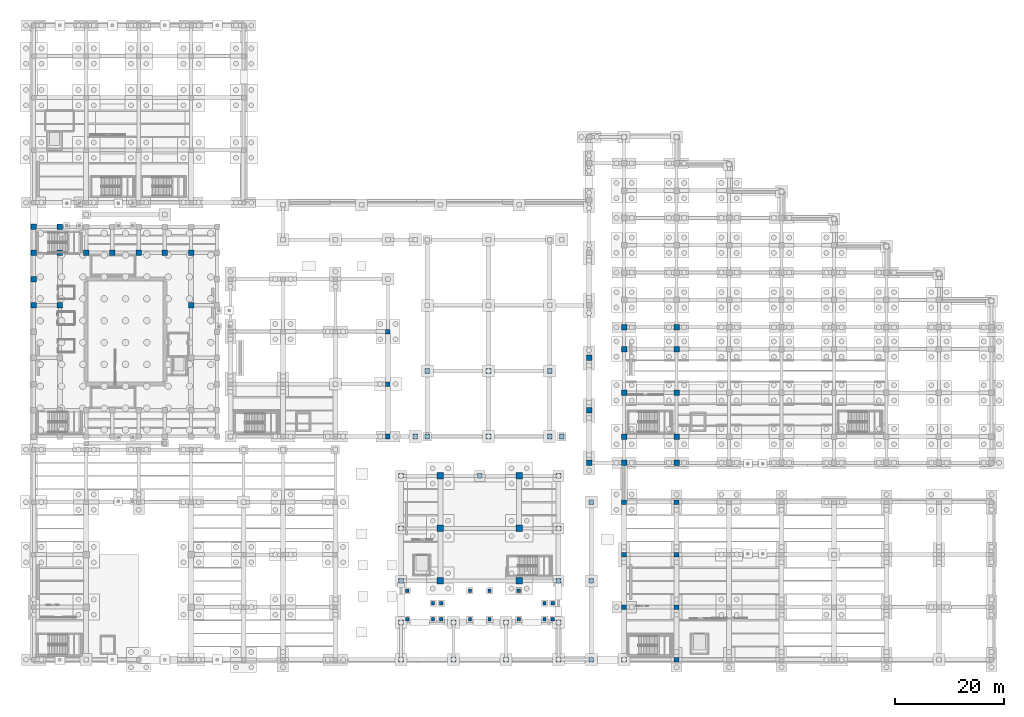
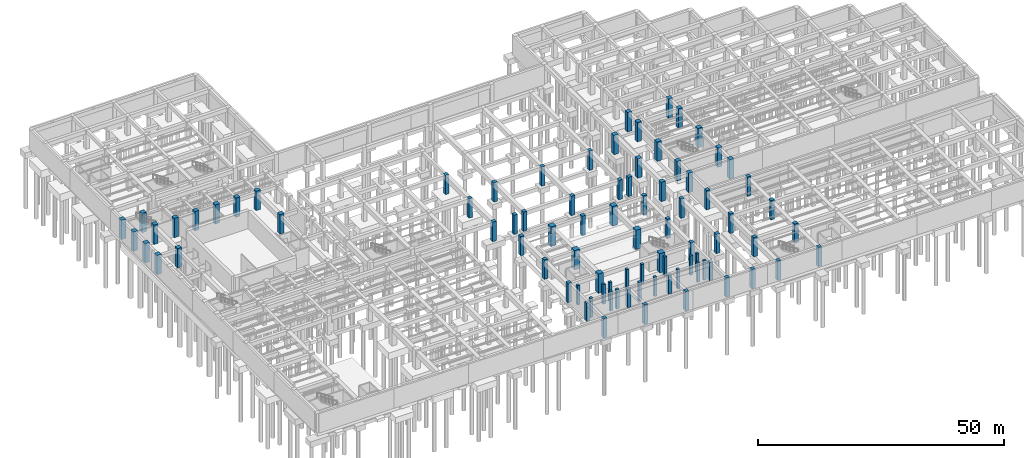
# One storey, part 17 of 56: 85 columns.
"""IFC4 building model written with IfcOpenShell, lengths in metres."""

from ifc_helpers import new_model, si_unit, direction, frame, origin, origin_2d, place, context, subcontext, project, spatial, rectangle, extrude, material, material_profile, profile_set, type_object, element, save


model = new_model("IFC4")

# Units and contexts
model_context = context("Model", 3, precision=1e-05, world=origin(), true_north=direction((0.0, 1.0)))
body_context = subcontext(model_context, "Body", "Model", "MODEL_VIEW")
ifc_project = project(units=[si_unit("LENGTHUNIT", "METRE"), si_unit("AREAUNIT", "SQUARE_METRE"), si_unit("VOLUMEUNIT", "CUBIC_METRE"), si_unit("PLANEANGLEUNIT", "RADIAN"), si_unit("MASSUNIT", "GRAM", prefix="KILO")], contexts=[model_context])

# Site, building, storey
site_placement = place(None, origin())
site = spatial("IfcSite", under=ifc_project, at=site_placement, CompositionType="ELEMENT")
building_placement = place(site_placement, origin())
building = spatial("IfcBuilding", under=site, at=building_placement, Name="Mavantir Sound Aquarium", CompositionType="ELEMENT")
storey_placement = place(building_placement, frame((0.0, 0.0, -9.60009765625)))
storey = spatial("IfcBuildingStorey", under=building, at=storey_placement, Name="B2", CompositionType="ELEMENT", Elevation=-9.60009765625)

# Columns
ifc_material = material(Name="Concrete C40/50", Category="concrete")
ifc_material_profile_1 = material_profile(ifc_material, rectangle(XDim=1.0, YDim=1.0, at=origin_2d()), Name="RC 1000X1000")
ifc_profile_set_1 = profile_set([ifc_material_profile_1], Name="Concrete C40/50")
column_type_1 = type_object("IfcColumnType", Name="COL-RC1000-E", PredefinedType="COLUMN", material=ifc_profile_set_1)
for number, where, z_axis, x_axis, name in (
    (1, (0.0, 64.800048828125, 0.0), (0.0, 0.0, 1.0), (1.0, 0.0, 0.0), "B2 column RC-C10 (V1)"),
    (2, (0.0, 69.60009765625, 0.0), (0.0, 0.0, 1.0), (1.0, 0.0, 0.0), "B2 column RC-C10 (V1)"),
    (3, (0.0, 74.39990234375, 0.0), (0.0, 0.0, 1.0), (1.0, 0.0, 0.0), "B2 column RC-C10 (V1)"),
    (4, (0.0, 79.199951171875, 0.0), (0.0, 0.0, 1.0), (1.0, 0.0, 0.0), "B2 column RC-C10 (V1)"),
):
    element("IfcColumn", number, at=place(storey_placement, frame(where, z_axis=z_axis, x_axis=x_axis)), inside=storey, type_object=column_type_1, Name=name, PredefinedType="COLUMN", context=body_context, shape_type="SweptSolid", body=[
        extrude(rectangle(XDim=1.0, YDim=1.0, at=origin_2d()), origin(), (0.0, 0.0, 1.0), 4.800048828125),
    ])
ifc_material_profile_2 = material_profile(ifc_material, rectangle(XDim=1.0, YDim=1.0, at=origin_2d()), Name="RC 1000X1000")
ifc_profile_set_2 = profile_set([ifc_material_profile_2], Name="Concrete C40/50")
column_type_2 = type_object("IfcColumnType", Name="COL-RC1000-I", PredefinedType="COLUMN", material=ifc_profile_set_2)
for number, where, z_axis, x_axis, name in (
    (5, (4.800048828125, 64.800048828125, 0.0), (0.0, 0.0, 1.0), (1.0, 0.0, 0.0), "B2 column RC-C10 (V1)"),
    (6, (4.800048828125, 74.39990234375, 0.0), (0.0, 0.0, 1.0), (1.0, 0.0, 0.0), "B2 column RC-C10 (V1)"),
    (7, (4.800048828125, 79.199951171875, 0.0), (0.0, 0.0, 1.0), (1.0, 0.0, 0.0), "B2 column RC-C10 (V1)"),
    (8, (9.60009765625, 74.39990234375, 0.0), (0.0, 0.0, 1.0), (1.0, 0.0, 0.0), "B2 column RC-C10 (V1)"),
    (9, (14.39990234375, 74.39990234375, 0.0), (0.0, 0.0, 1.0), (1.0, 0.0, 0.0), "B2 column RC-C10 (V1)"),
    (10, (19.199951171875, 74.39990234375, 0.0), (0.0, 0.0, 1.0), (1.0, 0.0, 0.0), "B2 column RC-C10 (V1)"),
    (11, (24.0, 74.39990234375, 0.0), (0.0, 0.0, 1.0), (1.0, 0.0, 0.0), "B2 column RC-C10 (V1)"),
    (12, (28.800048828125, 64.800048828125, 0.0), (0.0, 0.0, 1.0), (1.0, 0.0, 0.0), "B2 column RC-C10 (V1)"),
    (13, (28.800048828125, 74.39990234375, 0.0), (0.0, 0.0, 1.0), (1.0, 0.0, 0.0), "B2 column RC-C10 (V1)"),
    (14, (101.60009765625, 36.0, 0.0), (0.0, 0.0, 1.0), (1.0, 0.0, 0.0), "B2 column RC-C10 (V4)"),
    (15, (101.60009765625, 45.60009765625, 0.0), (0.0, 0.0, 1.0), (1.0, 0.0, 0.0), "B2 column RC-C10 (V4)"),
    (16, (101.60009765625, 55.199951171875, 0.0), (0.0, 0.0, 1.0), (1.0, 0.0, 0.0), "B2 column RC-C10 (V4)"),
    (17, (108.0, 36.0, 0.0), (0.0, 0.0, 1.0), (1.0, 0.0, 0.0), "B2 column RC-C10 (V4)"),
    (18, (108.0, 40.800048828125, 0.0), (0.0, 0.0, 1.0), (1.0, 0.0, 0.0), "B2 column RC-C10 (V4)"),
    (19, (108.0, 48.800048828125, 0.0), (0.0, 0.0, 1.0), (1.0, 0.0, 0.0), "B2 column RC-C10 (V4)"),
    (20, (108.0, 56.800048828125, 0.0), (0.0, 0.0, 1.0), (1.0, 0.0, 0.0), "B2 column RC-C10 (V4)"),
    (21, (108.0, 60.800048828125, 0.0), (0.0, 0.0, 1.0), (1.0, 0.0, 0.0), "B2 column RC-C10 (V4)"),
    (22, (117.60009765625, 36.0, 0.0), (0.0, 0.0, 1.0), (1.0, 0.0, 0.0), "B2 column RC-C10 (V4)"),
    (23, (117.60009765625, 40.800048828125, 0.0), (0.0, 0.0, 1.0), (1.0, 0.0, 0.0), "B2 column RC-C10 (V4)"),
    (24, (117.60009765625, 48.800048828125, 0.0), (0.0, 0.0, 1.0), (1.0, 0.0, 0.0), "B2 column RC-C10 (V4)"),
    (25, (117.60009765625, 56.800048828125, 0.0), (0.0, 0.0, 1.0), (1.0, 0.0, 0.0), "B2 column RC-C10 (V4)"),
    (26, (117.60009765625, 60.800048828125, 0.0), (0.0, 0.0, 1.0), (1.0, 0.0, 0.0), "B2 column RC-C10 (V4)"),
):
    element("IfcColumn", number, at=place(storey_placement, frame(where, z_axis=z_axis, x_axis=x_axis)), inside=storey, type_object=column_type_2, Name=name, PredefinedType="COLUMN", context=body_context, shape_type="SweptSolid", body=[
        extrude(rectangle(XDim=1.0, YDim=1.0, at=origin_2d()), origin(), (0.0, 0.0, 1.0), 4.800048828125),
    ])
ifc_material_profile_3 = material_profile(ifc_material, rectangle(XDim=1.199951171875, YDim=1.199951171875, at=origin_2d()), Name="RC 1200X1200")
ifc_profile_set_3 = profile_set([ifc_material_profile_3], Name="Concrete C40/50")
column_type_3 = type_object("IfcColumnType", Name="COL-RC1200-I", PredefinedType="COLUMN", material=ifc_profile_set_3)
for number, where, z_axis, x_axis, name in (
    (27, (74.39990234375, 14.39990234375, 0.0), (0.0, 0.0, 1.0), (1.0, 0.0, 0.0), "B2 column RC-C12 (V7)"),
    (28, (74.39990234375, 24.0, 0.0), (0.0, 0.0, 1.0), (1.0, 0.0, 0.0), "B2 column RC-C12 (V7)"),
    (29, (74.39990234375, 33.60009765625, 0.0), (0.0, 0.0, 1.0), (1.0, 0.0, 0.0), "B2 column RC-C12 (V7)"),
    (30, (88.800048828125, 14.39990234375, 0.0), (0.0, 0.0, 1.0), (1.0, 0.0, 0.0), "B2 column RC-C12 (V7)"),
    (31, (88.800048828125, 24.0, 0.0), (0.0, 0.0, 1.0), (1.0, 0.0, 0.0), "B2 column RC-C12 (V7)"),
    (32, (88.800048828125, 33.60009765625, 0.0), (0.0, 0.0, 1.0), (1.0, 0.0, 0.0), "B2 column RC-C12 (V7)"),
):
    element("IfcColumn", number, at=place(storey_placement, frame(where, z_axis=z_axis, x_axis=x_axis)), inside=storey, type_object=column_type_3, Name=name, PredefinedType="COLUMN", context=body_context, shape_type="SweptSolid", body=[
        extrude(rectangle(XDim=1.199951171875, YDim=1.199951171875, at=origin_2d()), origin(), (0.0, 0.0, 1.0), 4.800048828125),
    ])
ifc_material_profile_4 = material_profile(ifc_material, rectangle(XDim=0.60009765625, YDim=0.60009765625, at=origin_2d()), Name="RC 600X600")
ifc_profile_set_4 = profile_set([ifc_material_profile_4], Name="Concrete C40/50")
column_type_4 = type_object("IfcColumnType", Name="COL-RC600-E", PredefinedType="COLUMN", material=ifc_profile_set_4)
for number, where, z_axis, x_axis, name in (
    (33, (68.35009765625, 7.39990234375, 0.0), (0.0, 0.0, 1.0), (1.0, 0.0, 0.0), "Forecourt cascade ST13 B2 pier 1"),
    (34, (68.35009765625, 12.60009765625, 0.0), (0.0, 0.0, 1.0), (1.0, 0.0, 0.0), "Forecourt cascade ST13 B2 pier 2"),
    (35, (79.800048828125, 7.39990234375, 0.0), (0.0, 0.0, 1.0), (1.0, 0.0, 0.0), "Forecourt cascade ST13 B2 pier 3"),
    (36, (79.800048828125, 12.60009765625, 0.0), (0.0, 0.0, 1.0), (1.0, 0.0, 0.0), "Forecourt cascade ST13 B2 pier 4"),
    (37, (73.06005859375, 7.39990234375, 0.0), (0.0, 0.0, 1.0), (1.0, 0.0, 0.0), "Forecourt cascade ST13 B2 pier 5"),
    (38, (73.06005859375, 10.300048828125, 0.0), (0.0, 0.0, 1.0), (1.0, 0.0, 0.0), "Forecourt cascade ST13 B2 pier 6"),
    (39, (74.550048828125, 7.39990234375, 0.0), (0.0, 0.0, 1.0), (1.0, 0.0, 0.0), "Forecourt cascade ST13 B2 pier 7"),
    (40, (74.550048828125, 10.300048828125, 0.0), (0.0, 0.0, 1.0), (1.0, 0.0, 0.0), "Forecourt cascade ST13 B2 pier 8"),
    (41, (88.75, 7.39990234375, 0.0), (0.0, 0.0, 1.0), (1.0, 0.0, 0.0), "Forecourt cascade ST14 B2 pier 1"),
    (42, (88.75, 12.60009765625, 0.0), (0.0, 0.0, 1.0), (1.0, 0.0, 0.0), "Forecourt cascade ST14 B2 pier 2"),
    (43, (83.39990234375, 7.39990234375, 0.0), (0.0, 0.0, 1.0), (1.0, 0.0, 0.0), "Forecourt cascade ST14 B2 pier 3"),
    (44, (83.39990234375, 12.60009765625, 0.0), (0.0, 0.0, 1.0), (1.0, 0.0, 0.0), "Forecourt cascade ST14 B2 pier 4"),
    (45, (93.4599609375, 7.39990234375, 0.0), (0.0, 0.0, 1.0), (1.0, 0.0, 0.0), "Forecourt cascade ST14 B2 pier 5"),
    (46, (93.4599609375, 10.300048828125, 0.0), (0.0, 0.0, 1.0), (1.0, 0.0, 0.0), "Forecourt cascade ST14 B2 pier 6"),
    (47, (94.949951171875, 7.39990234375, 0.0), (0.0, 0.0, 1.0), (1.0, 0.0, 0.0), "Forecourt cascade ST14 B2 pier 7"),
    (48, (94.949951171875, 10.300048828125, 0.0), (0.0, 0.0, 1.0), (1.0, 0.0, 0.0), "Forecourt cascade ST14 B2 pier 8"),
):
    element("IfcColumn", number, at=place(storey_placement, frame(where, z_axis=z_axis, x_axis=x_axis)), inside=storey, type_object=column_type_4, Name=name, PredefinedType="COLUMN", context=body_context, shape_type="SweptSolid", body=[
        extrude(rectangle(XDim=0.60009765625, YDim=0.60009765625, at=origin_2d()), origin(), (0.0, 0.0, 1.0), 4.800048828125),
    ])
ifc_material_profile_5 = material_profile(ifc_material, rectangle(XDim=0.85009765625, YDim=0.85009765625, at=origin_2d()), Name="RC 850X850")
ifc_profile_set_5 = profile_set([ifc_material_profile_5], Name="Concrete C40/50")
column_type_5 = type_object("IfcColumnType", Name="COL-RC850-E", PredefinedType="COLUMN", material=ifc_profile_set_5)
for number, where, z_axis, x_axis, name in (
    (49, (108.0, 0.0, 0.0), (0.0, 0.0, 1.0), (1.0, 0.0, 0.0), "B2 column RC-C85 (V6)"),
    (50, (117.60009765625, 0.0, 0.0), (0.0, 0.0, 1.0), (1.0, 0.0, 0.0), "B2 column RC-C85 (V6)"),
    (51, (67.199951171875, 0.0, 0.0), (0.0, 0.0, 1.0), (1.0, 0.0, 0.0), "B2 column RC-C85 (COURT)"),
    (52, (76.800048828125, 0.0, 0.0), (0.0, 0.0, 1.0), (1.0, 0.0, 0.0), "B2 column RC-C85 (COURT)"),
    (53, (86.39990234375, 0.0, 0.0), (0.0, 0.0, 1.0), (1.0, 0.0, 0.0), "B2 column RC-C85 (COURT)"),
    (54, (96.0, 0.0, 0.0), (0.0, 0.0, 1.0), (1.0, 0.0, 0.0), "B2 column RC-C85 (COURT)"),
    (55, (102.0, 0.0, 0.0), (0.0, 0.0, 1.0), (1.0, 0.0, 0.0), "B2 column RC-C85 (COURT)"),
):
    element("IfcColumn", number, at=place(storey_placement, frame(where, z_axis=z_axis, x_axis=x_axis)), inside=storey, type_object=column_type_5, Name=name, PredefinedType="COLUMN", context=body_context, shape_type="SweptSolid", body=[
        extrude(rectangle(XDim=0.85009765625, YDim=0.85009765625, at=origin_2d()), origin(), (0.0, 0.0, 1.0), 4.800048828125),
    ])
ifc_material_profile_6 = material_profile(ifc_material, rectangle(XDim=0.85009765625, YDim=0.85009765625, at=origin_2d()), Name="RC 850X850")
ifc_profile_set_6 = profile_set([ifc_material_profile_6], Name="Concrete C40/50")
column_type_6 = type_object("IfcColumnType", Name="COL-RC850-I", PredefinedType="COLUMN", material=ifc_profile_set_6)
for number, where, z_axis, x_axis, name in (
    (56, (64.800048828125, 40.800048828125, 0.0), (0.0, 0.0, 1.0), (1.0, 0.0, 0.0), "B2 column RC-C85 (V2)"),
    (57, (64.800048828125, 50.39990234375, 0.0), (0.0, 0.0, 1.0), (1.0, 0.0, 0.0), "B2 column RC-C85 (V2)"),
    (58, (64.800048828125, 60.0, 0.0), (0.0, 0.0, 1.0), (1.0, 0.0, 0.0), "B2 column RC-C85 (V2)"),
    (59, (108.0, 9.60009765625, 0.0), (0.0, 0.0, 1.0), (1.0, 0.0, 0.0), "B2 column RC-C85 (V6)"),
    (60, (108.0, 19.199951171875, 0.0), (0.0, 0.0, 1.0), (1.0, 0.0, 0.0), "B2 column RC-C85 (V6)"),
    (61, (108.0, 28.800048828125, 0.0), (0.0, 0.0, 1.0), (1.0, 0.0, 0.0), "B2 column RC-C85 (V6)"),
    (62, (117.60009765625, 9.60009765625, 0.0), (0.0, 0.0, 1.0), (1.0, 0.0, 0.0), "B2 column RC-C85 (V6)"),
    (63, (117.60009765625, 19.199951171875, 0.0), (0.0, 0.0, 1.0), (1.0, 0.0, 0.0), "B2 column RC-C85 (V6)"),
    (64, (117.60009765625, 28.800048828125, 0.0), (0.0, 0.0, 1.0), (1.0, 0.0, 0.0), "B2 column RC-C85 (V6)"),
    (65, (67.199951171875, 14.39990234375, 0.0), (0.0, 0.0, 1.0), (1.0, 0.0, 0.0), "B2 column RC-C85 (V7)"),
    (66, (67.199951171875, 24.0, 0.0), (0.0, 0.0, 1.0), (1.0, 0.0, 0.0), "B2 column RC-C85 (V7)"),
    (67, (67.199951171875, 33.60009765625, 0.0), (0.0, 0.0, 1.0), (1.0, 0.0, 0.0), "B2 column RC-C85 (V7)"),
    (68, (81.60009765625, 33.60009765625, 0.0), (0.0, 0.0, 1.0), (1.0, 0.0, 0.0), "B2 column RC-C85 (V7)"),
    (69, (96.0, 14.39990234375, 0.0), (0.0, 0.0, 1.0), (1.0, 0.0, 0.0), "B2 column RC-C85 (V7)"),
    (70, (96.0, 24.0, 0.0), (0.0, 0.0, 1.0), (1.0, 0.0, 0.0), "B2 column RC-C85 (V7)"),
    (71, (96.0, 33.60009765625, 0.0), (0.0, 0.0, 1.0), (1.0, 0.0, 0.0), "B2 column RC-C85 (V7)"),
):
    element("IfcColumn", number, at=place(storey_placement, frame(where, z_axis=z_axis, x_axis=x_axis)), inside=storey, type_object=column_type_6, Name=name, PredefinedType="COLUMN", context=body_context, shape_type="SweptSolid", body=[
        extrude(rectangle(XDim=0.85009765625, YDim=0.85009765625, at=origin_2d()), origin(), (0.0, 0.0, 1.0), 4.800048828125),
    ])
for number, where, z_axis, x_axis, name in (
    (72, (67.199951171875, 6.800048828125, 0.0), (0.0, 0.0, 1.0), (1.0, 0.0, 0.0), "B2 column RC-C85 (COURT)"),
    (73, (76.800048828125, 6.800048828125, 0.0), (0.0, 0.0, 1.0), (1.0, 0.0, 0.0), "B2 column RC-C85 (COURT)"),
    (74, (86.39990234375, 6.800048828125, 0.0), (0.0, 0.0, 1.0), (1.0, 0.0, 0.0), "B2 column RC-C85 (COURT)"),
    (75, (96.0, 6.800048828125, 0.0), (0.0, 0.0, 1.0), (1.0, 0.0, 0.0), "B2 column RC-C85 (COURT)"),
):
    element("IfcColumn", number, at=place(storey_placement, frame(where, z_axis=z_axis, x_axis=x_axis)), inside=storey, type_object=column_type_6, Name=name, PredefinedType="COLUMN", context=body_context, shape_type="SweptSolid", body=[
        extrude(rectangle(XDim=0.85009765625, YDim=0.85009765625, at=origin_2d()), origin(), (0.0, 0.0, 1.0), 4.5),
    ])
for number, where, z_axis, x_axis, name in (
    (76, (102.0, 14.39990234375, 0.0), (0.0, 0.0, 1.0), (1.0, 0.0, 0.0), "B2 column RC-C85 (COURT)"),
    (77, (102.0, 28.800048828125, 0.0), (0.0, 0.0, 1.0), (1.0, 0.0, 0.0), "B2 column RC-C85 (COURT)"),
    (78, (69.800048828125, 40.800048828125, 0.0), (0.0, 0.0, 1.0), (1.0, 0.0, 0.0), "B2 column RC-C85 (COURT)"),
    (79, (72.0, 40.800048828125, 0.0), (0.0, 0.0, 1.0), (1.0, 0.0, 0.0), "B2 column RC-C85 (COURT)"),
    (80, (83.199951171875, 40.800048828125, 0.0), (0.0, 0.0, 1.0), (1.0, 0.0, 0.0), "B2 column RC-C85 (COURT)"),
    (81, (94.39990234375, 40.800048828125, 0.0), (0.0, 0.0, 1.0), (1.0, 0.0, 0.0), "B2 column RC-C85 (COURT)"),
    (82, (96.60009765625, 40.800048828125, 0.0), (0.0, 0.0, 1.0), (1.0, 0.0, 0.0), "B2 column RC-C85 (COURT)"),
    (83, (72.0, 52.800048828125, 0.0), (0.0, 0.0, 1.0), (1.0, 0.0, 0.0), "B2 column RC-C85 (COURT)"),
    (84, (83.199951171875, 52.800048828125, 0.0), (0.0, 0.0, 1.0), (1.0, 0.0, 0.0), "B2 column RC-C85 (COURT)"),
    (85, (94.39990234375, 52.800048828125, 0.0), (0.0, 0.0, 1.0), (1.0, 0.0, 0.0), "B2 column RC-C85 (COURT)"),
):
    element("IfcColumn", number, at=place(storey_placement, frame(where, z_axis=z_axis, x_axis=x_axis)), inside=storey, type_object=column_type_6, Name=name, PredefinedType="COLUMN", context=body_context, shape_type="SweptSolid", body=[
        extrude(rectangle(XDim=0.85009765625, YDim=0.85009765625, at=origin_2d()), origin(), (0.0, 0.0, 1.0), 4.800048828125),
    ])

save(model, "model.ifc")
